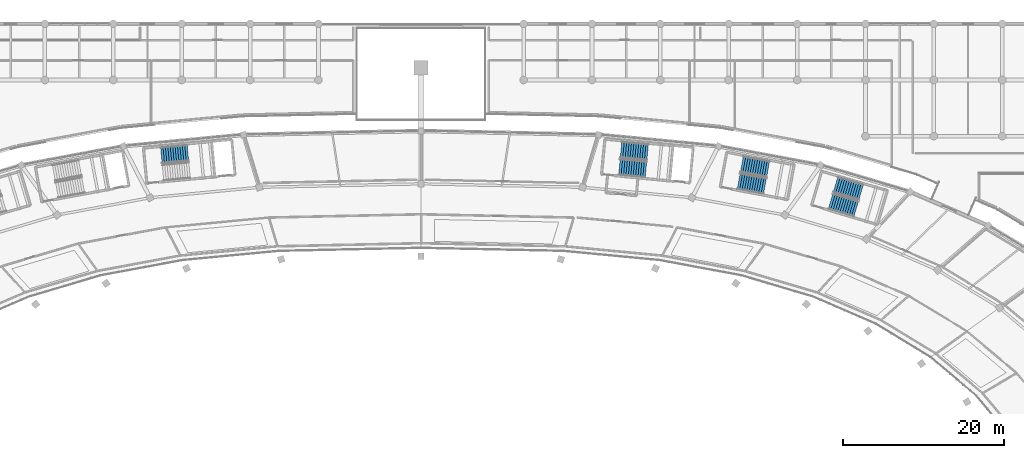
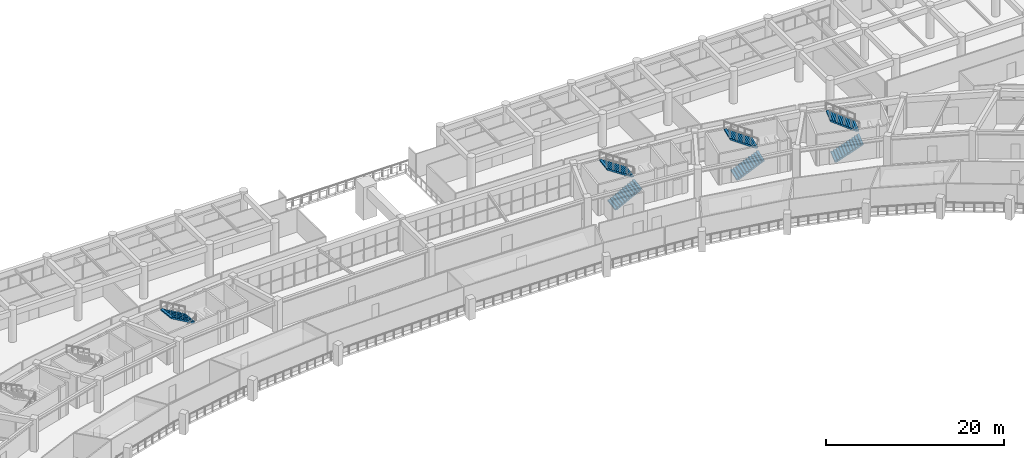
# One storey, part 112 of 141: 7 stair flights, 4 elements without a shape of their own.
"""IFC4 building model written with IfcOpenShell, lengths in metres."""

from ifc_helpers import new_model, si_unit, direction, frame, origin, place, context, subcontext, project, spatial, polyline, outline, extrude, material, type_object, element, aggregate, save


model = new_model("IFC4")

# Units and contexts
model_context = context("Model", 3, precision=1e-05, world=origin(), true_north=direction((0.0, 1.0)))
body_context = subcontext(model_context, "Body", "Model", "MODEL_VIEW")
ifc_project = project(units=[si_unit("LENGTHUNIT", "METRE"), si_unit("AREAUNIT", "SQUARE_METRE"), si_unit("VOLUMEUNIT", "CUBIC_METRE"), si_unit("PLANEANGLEUNIT", "RADIAN"), si_unit("MASSUNIT", "GRAM", prefix="KILO")], contexts=[model_context])

# Site, building, storey
site_placement = place(None, origin())
site = spatial("IfcSite", under=ifc_project, at=site_placement, CompositionType="ELEMENT")
building_placement = place(site_placement, origin())
building = spatial("IfcBuilding", under=site, at=building_placement, Name="Mphavela Belvedere Stadium", CompositionType="ELEMENT")
storey_placement = place(building_placement, frame((0.0, 0.0, 14.699951171875)))
storey = spatial("IfcBuildingStorey", under=building, at=storey_placement, Name="L03", CompositionType="ELEMENT", Elevation=14.699951171875)

# Stair, stair flights
ifc_material_1 = material(Name="Concrete C40/50", Category="concrete")
stair_type_1 = type_object("IfcStairType", Name="STR-HALF-TURN-3", PredefinedType="HALF_TURN_STAIR", material=ifc_material_1)
stair_1_placement = place(storey_placement, origin())
stair_1 = element("IfcStair", 1, at=stair_1_placement, inside=storey, type_object=stair_type_1, Name="L03 Escape stair core C03", PredefinedType="HALF_TURN_STAIR")
ifc_material_2 = material(Name="Concrete C40/50", Category="concrete")
stair_flight_type = type_object("IfcStairFlightType", Name="SFL-CORE-152", PredefinedType="STRAIGHT", material=ifc_material_2)
stair_flight_1_placement = place(storey_placement, frame((139.716796875, 156.15625, 0.0), z_axis=(0.0, 0.0, 1.0), x_axis=(0.995479460536, -0.094977069084, 0.0)))
stair_flight_1 = element("IfcStairFlight", 2, at=stair_flight_1_placement, type_object=stair_flight_type, Name="ST-C03 flight 1", NumberOfRisers=12, NumberOfTreads=11, PredefinedType="STRAIGHT", RiserHeight=0.1875, TreadLength=0.302, context=body_context, shape_type="SweptSolid", body=[
    extrude(outline(polyline([(0.0, 0.0), (0.0, 0.1875), (0.302001953125, 0.1875), (0.302001953125, 0.375), (0.60400390625, 0.375), (0.60400390625, 0.5625), (0.906005859375, 0.5625), (0.906005859375, 0.75), (1.2080078125, 0.75), (1.2080078125, 0.9375), (1.510009765625, 0.9375), (1.510009765625, 1.125), (1.81201171875, 1.125), (1.81201171875, 1.3125), (2.114013671875, 1.3125), (2.114013671875, 1.5), (2.416015625, 1.5), (2.416015625, 1.6875), (2.718017578125, 1.6875), (2.718017578125, 1.875), (3.02001953125, 1.875), (3.02001953125, 2.0625), (3.322021484375, 2.0625), (3.322021484375, 2.25), (3.322021484375, 1.885986328125), (0.2841796875, 0.0), (0.0, 0.0)])), frame((0.0, 1.010009765625, 0.0), z_axis=(0.0, -1.0, 0.0), x_axis=(1.0, 0.0, 0.0)), (0.0, 0.0, 1.0), 2.02001953125),
])
stair_flight_2_placement = place(storey_placement, frame((143.22998046875, 158.0009765625, 2.25), z_axis=(0.0, 0.0, 1.0), x_axis=(-0.995479460536, 0.094977069084, 0.0)))
stair_flight_2 = element("IfcStairFlight", 3, at=stair_flight_2_placement, type_object=stair_flight_type, Name="ST-C03 flight 2", NumberOfRisers=12, NumberOfTreads=11, PredefinedType="STRAIGHT", RiserHeight=0.1875, TreadLength=0.302, context=body_context, shape_type="SweptSolid", body=[
    extrude(outline(polyline([(0.0, 0.0), (0.0, 0.1875), (0.302001953125, 0.1875), (0.302001953125, 0.375), (0.60400390625, 0.375), (0.60400390625, 0.5625), (0.906005859375, 0.5625), (0.906005859375, 0.75), (1.2080078125, 0.75), (1.2080078125, 0.9375), (1.510009765625, 0.9375), (1.510009765625, 1.125), (1.81201171875, 1.125), (1.81201171875, 1.3125), (2.114013671875, 1.3125), (2.114013671875, 1.5), (2.416015625, 1.5), (2.416015625, 1.6875), (2.718017578125, 1.6875), (2.718017578125, 1.875), (3.02001953125, 1.875), (3.02001953125, 2.0625), (3.322021484375, 2.0625), (3.322021484375, 2.25), (3.322021484375, 1.885986328125), (0.2841796875, 0.0), (0.0, 0.0)])), frame((0.0, 1.010009765625, 0.0), z_axis=(0.0, -1.0, 0.0), x_axis=(1.0, 0.0, 0.0)), (0.0, 0.0, 1.0), 2.02001953125),
])
aggregate(stair_1, [stair_flight_1, stair_flight_2])

# Stair, stair flight
ifc_material_3 = material(Name="Concrete C40/50", Category="concrete")
stair_type_2 = type_object("IfcStairType", Name="STR-HALF-TURN-1", PredefinedType="HALF_TURN_STAIR", material=ifc_material_3)
stair_2_placement = place(storey_placement, origin())
stair_2 = element("IfcStair", 4, at=stair_2_placement, inside=storey, type_object=stair_type_2, Name="L03 Escape stair core C04", PredefinedType="HALF_TURN_STAIR")
stair_flight_3_placement = place(storey_placement, frame((85.957763671875, 157.92333984375, 2.25), z_axis=(0.0, 0.0, 1.0), x_axis=(-0.995479460536, -0.094977069084, 0.0)))
stair_flight_3 = element("IfcStairFlight", 5, at=stair_flight_3_placement, type_object=stair_flight_type, Name="ST-C04 flight 2", NumberOfRisers=12, NumberOfTreads=11, PredefinedType="STRAIGHT", RiserHeight=0.1875, TreadLength=0.302, context=body_context, shape_type="SweptSolid", body=[
    extrude(outline(polyline([(0.0, 0.0), (0.0, 0.1875), (0.302001953125, 0.1875), (0.302001953125, 0.375), (0.60400390625, 0.375), (0.60400390625, 0.5625), (0.906005859375, 0.5625), (0.906005859375, 0.75), (1.2080078125, 0.75), (1.2080078125, 0.9375), (1.510009765625, 0.9375), (1.510009765625, 1.125), (1.81201171875, 1.125), (1.81201171875, 1.3125), (2.114013671875, 1.3125), (2.114013671875, 1.5), (2.416015625, 1.5), (2.416015625, 1.6875), (2.718017578125, 1.6875), (2.718017578125, 1.875), (3.02001953125, 1.875), (3.02001953125, 2.0625), (3.322021484375, 2.0625), (3.322021484375, 2.25), (3.322021484375, 1.885986328125), (0.2841796875, 0.0), (0.0, 0.0)])), frame((0.0, 1.010009765625, 0.0), z_axis=(0.0, -1.0, 0.0), x_axis=(1.0, 0.0, 0.0)), (0.0, 0.0, 1.0), 2.02001953125),
])
aggregate(stair_2, [stair_flight_3])

# Stair, stair flights
ifc_material_4 = material(Name="Precast concrete C45/55", Category="concrete")
stair_type_3 = type_object("IfcStairType", Name="STR-TWO-RET-1", PredefinedType="TWO_STRAIGHT_RUN_STAIR", material=ifc_material_4)
stair_3_placement = place(storey_placement, origin())
stair_3 = element("IfcStair", 6, at=stair_3_placement, inside=storey, type_object=stair_type_3, Name="L03 Escape stair core P01", PredefinedType="TWO_STRAIGHT_RUN_STAIR")
stair_flight_4_placement = place(storey_placement, frame((166.023681640625, 151.8837890625, 0.0), z_axis=(0.0, 0.0, 1.0), x_axis=(0.958670893355, -0.284517342588, 0.0)))
stair_flight_4 = element("IfcStairFlight", 7, at=stair_flight_4_placement, type_object=stair_flight_type, Name="ST-P01 flight 1", NumberOfRisers=12, NumberOfTreads=11, PredefinedType="STRAIGHT", RiserHeight=0.1875, TreadLength=0.302, context=body_context, shape_type="SweptSolid", body=[
    extrude(outline(polyline([(0.0, 0.0), (0.0, 0.1875), (0.302001953125, 0.1875), (0.302001953125, 0.375), (0.60400390625, 0.375), (0.60400390625, 0.5625), (0.906005859375, 0.5625), (0.906005859375, 0.75), (1.2080078125, 0.75), (1.2080078125, 0.9375), (1.510009765625, 0.9375), (1.510009765625, 1.125), (1.81201171875, 1.125), (1.81201171875, 1.3125), (2.114013671875, 1.3125), (2.114013671875, 1.5), (2.416015625, 1.5), (2.416015625, 1.6875), (2.718017578125, 1.6875), (2.718017578125, 1.875), (3.02001953125, 1.875), (3.02001953125, 2.0625), (3.322021484375, 2.0625), (3.322021484375, 2.25), (3.322021484375, 1.885986328125), (0.2841796875, 0.0), (0.0, 0.0)])), frame((0.0, 1.010009765625, 0.0), z_axis=(0.0, -1.0, 0.0), x_axis=(1.0, 0.0, 0.0)), (0.0, 0.0, 1.0), 2.02001953125),
])
stair_flight_5_placement = place(storey_placement, frame((169.825927734375, 153.018798828125, 2.25), z_axis=(0.0, 0.0, 1.0), x_axis=(-0.958670893355, 0.284517342588, 0.0)))
stair_flight_5 = element("IfcStairFlight", 8, at=stair_flight_5_placement, type_object=stair_flight_type, Name="ST-P01 flight 2", NumberOfRisers=12, NumberOfTreads=11, PredefinedType="STRAIGHT", RiserHeight=0.1875, TreadLength=0.302, context=body_context, shape_type="SweptSolid", body=[
    extrude(outline(polyline([(0.0, 0.0), (0.0, 0.1875), (0.302001953125, 0.1875), (0.302001953125, 0.375), (0.60400390625, 0.375), (0.60400390625, 0.5625), (0.906005859375, 0.5625), (0.906005859375, 0.75), (1.2080078125, 0.75), (1.2080078125, 0.9375), (1.510009765625, 0.9375), (1.510009765625, 1.125), (1.81201171875, 1.125), (1.81201171875, 1.3125), (2.114013671875, 1.3125), (2.114013671875, 1.5), (2.416015625, 1.5), (2.416015625, 1.6875), (2.718017578125, 1.6875), (2.718017578125, 1.875), (3.02001953125, 1.875), (3.02001953125, 2.0625), (3.322021484375, 2.0625), (3.322021484375, 2.25), (3.322021484375, 1.885986328125), (0.2841796875, 0.0), (0.0, 0.0)])), frame((0.0, 1.010009765625, 0.0), z_axis=(0.0, -1.0, 0.0), x_axis=(1.0, 0.0, 0.0)), (0.0, 0.0, 1.0), 2.02001953125),
])
aggregate(stair_3, [stair_flight_4, stair_flight_5])

ifc_material_5 = material(Name="Precast concrete C45/55", Category="concrete")
stair_type_4 = type_object("IfcStairType", Name="STR-TWO-RET-2", PredefinedType="TWO_STRAIGHT_RUN_STAIR", material=ifc_material_5)
stair_4_placement = place(storey_placement, origin())
stair_4 = element("IfcStair", 9, at=stair_4_placement, inside=storey, type_object=stair_type_4, Name="L03 Escape stair core P02", PredefinedType="TWO_STRAIGHT_RUN_STAIR")
stair_flight_6_placement = place(storey_placement, frame((154.577392578125, 154.377197265625, 0.0), z_axis=(0.0, 0.0, 1.0), x_axis=(0.983095502692, -0.183093507769, 0.0)))
stair_flight_6 = element("IfcStairFlight", 10, at=stair_flight_6_placement, type_object=stair_flight_type, Name="ST-P02 flight 1", NumberOfRisers=12, NumberOfTreads=11, PredefinedType="STRAIGHT", RiserHeight=0.1875, TreadLength=0.302, context=body_context, shape_type="SweptSolid", body=[
    extrude(outline(polyline([(0.0, 0.0), (0.0, 0.1875), (0.302001953125, 0.1875), (0.302001953125, 0.375), (0.60400390625, 0.375), (0.60400390625, 0.5625), (0.906005859375, 0.5625), (0.906005859375, 0.75), (1.2080078125, 0.75), (1.2080078125, 0.9375), (1.510009765625, 0.9375), (1.510009765625, 1.125), (1.81201171875, 1.125), (1.81201171875, 1.3125), (2.114013671875, 1.3125), (2.114013671875, 1.5), (2.416015625, 1.5), (2.416015625, 1.6875), (2.718017578125, 1.6875), (2.718017578125, 1.875), (3.02001953125, 1.875), (3.02001953125, 2.0625), (3.322021484375, 2.0625), (3.322021484375, 2.25), (3.322021484375, 1.885986328125), (0.2841796875, 0.0), (0.0, 0.0)])), frame((0.0, 1.010009765625, 0.0), z_axis=(0.0, -1.0, 0.0), x_axis=(1.0, 0.0, 0.0)), (0.0, 0.0, 1.0), 2.02001953125),
])
stair_flight_7_placement = place(storey_placement, frame((158.24072265625, 155.90234375, 2.25), z_axis=(0.0, 0.0, 1.0), x_axis=(-0.983095502692, 0.183093507769, 0.0)))
stair_flight_7 = element("IfcStairFlight", 11, at=stair_flight_7_placement, type_object=stair_flight_type, Name="ST-P02 flight 2", NumberOfRisers=12, NumberOfTreads=11, PredefinedType="STRAIGHT", RiserHeight=0.1875, TreadLength=0.302, context=body_context, shape_type="SweptSolid", body=[
    extrude(outline(polyline([(0.0, 0.0), (0.0, 0.1875), (0.302001953125, 0.1875), (0.302001953125, 0.375), (0.60400390625, 0.375), (0.60400390625, 0.5625), (0.906005859375, 0.5625), (0.906005859375, 0.75), (1.2080078125, 0.75), (1.2080078125, 0.9375), (1.510009765625, 0.9375), (1.510009765625, 1.125), (1.81201171875, 1.125), (1.81201171875, 1.3125), (2.114013671875, 1.3125), (2.114013671875, 1.5), (2.416015625, 1.5), (2.416015625, 1.6875), (2.718017578125, 1.6875), (2.718017578125, 1.875), (3.02001953125, 1.875), (3.02001953125, 2.0625), (3.322021484375, 2.0625), (3.322021484375, 2.25), (3.322021484375, 1.885986328125), (0.2841796875, 0.0), (0.0, 0.0)])), frame((0.0, 1.010009765625, 0.0), z_axis=(0.0, -1.0, 0.0), x_axis=(1.0, 0.0, 0.0)), (0.0, 0.0, 1.0), 2.02001953125),
])
aggregate(stair_4, [stair_flight_6, stair_flight_7])

save(model, "model.ifc")
